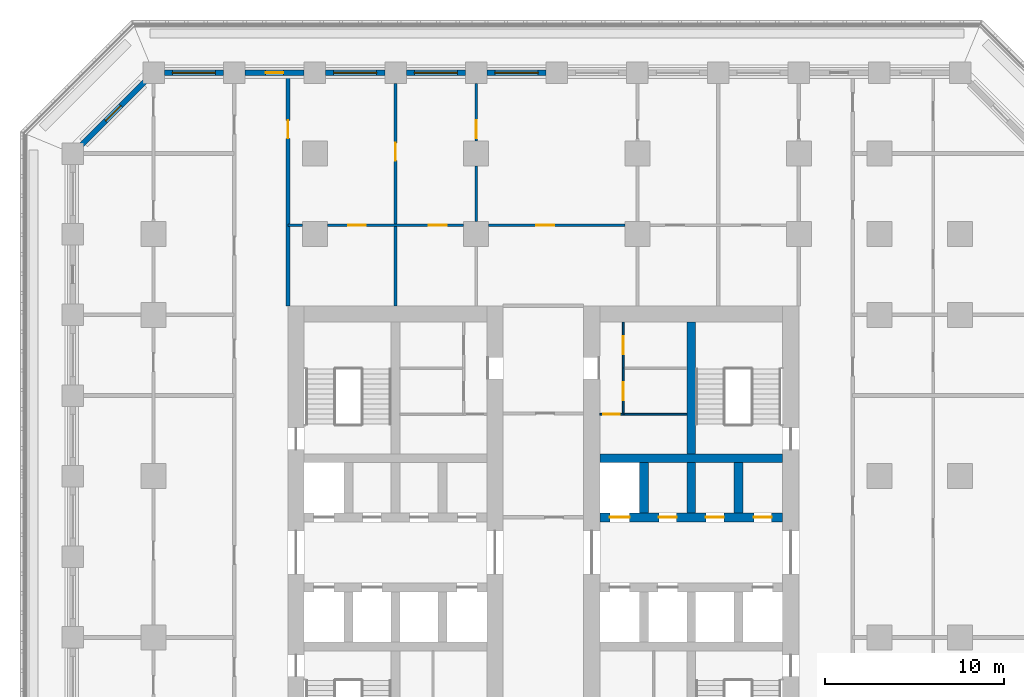
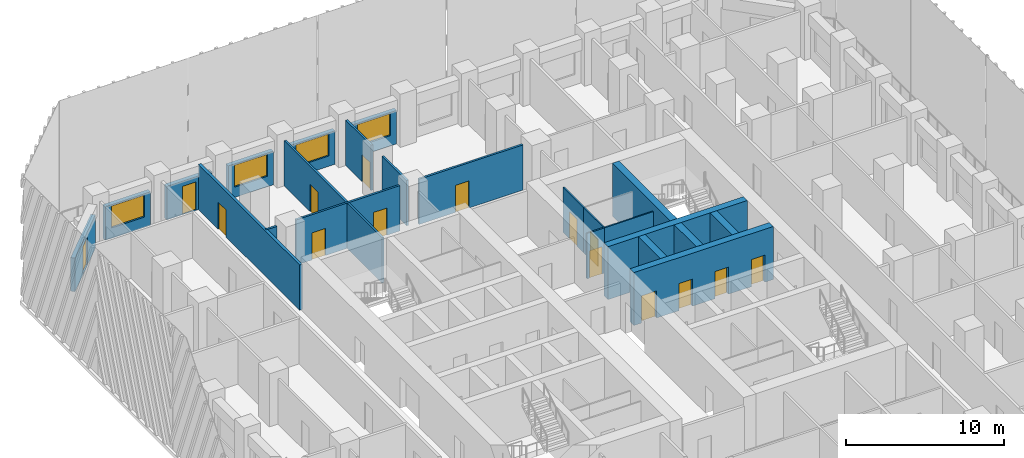
# One storey, part 8 of 20: 23 walls, 15 doors, 4 windows, 19 openings.
"""IFC4 building model written with IfcOpenShell, lengths in metres."""

import ifcopenshell
import ifcopenshell.guid

model = None  # the IFC model being written
_history = None  # IfcOwnerHistory: only IFC2X3 demands one
_inside = {}  # id of a spatial element -> (the spatial element, [elements in it])
_under = {}  # id of a project, library or spatial element -> (it, [spatial elements below it])
_declared = {}  # id of a project -> (the project, [libraries it declares])
_typed = {}  # id of a type object -> (the type object, [elements of that type])
_made_of = {}  # id of a material, layer set ... -> (it, [elements and type objects made of it])


def new_model(schema):
    """Start an empty IFC model of exactly this schema.

    Asked for "IFC4X3", IfcOpenShell would pick the latest addendum, in which some entities
    have other attributes; the version numbers below select the first issue.
    IFC2X3 requires an IfcOwnerHistory on every rooted entity: one is made here for all.
    """
    global model, _history
    if schema == "IFC4X3":
        model = ifcopenshell.file(schema_version=(4, 3, 0, 0))
    else:
        model = ifcopenshell.file(schema=schema)
    _inside.clear()
    _under.clear()
    _declared.clear()
    _typed.clear()
    _made_of.clear()
    _history = None
    if model.schema == "IFC2X3":
        org = make("IfcOrganization", Name="unknown")
        user = make(
            "IfcPersonAndOrganization",
            ThePerson=make("IfcPerson", FamilyName="unknown"),
            TheOrganization=org,
        )
        app = make(
            "IfcApplication",
            ApplicationDeveloper=org,
            Version="unknown",
            ApplicationFullName="unknown",
            ApplicationIdentifier="unknown",
        )
        _history = make(
            "IfcOwnerHistory",
            OwningUser=user,
            OwningApplication=app,
            ChangeAction="ADDED",
            CreationDate=0,
        )
    return model


def make(cls, **values):
    """One entity of the class cls with the attributes given. An attribute that is None is left unset."""
    return model.create_entity(
        cls, **{name: value for name, value in values.items() if value is not None}
    )


def rooted(cls, **values):
    """An entity with a GlobalId (a new one), such as an element, a storey or a relation."""
    return make(cls, GlobalId=ifcopenshell.guid.new(), OwnerHistory=_history, **values)


def si_unit(unit_type, name, prefix=None):
    """IfcSIUnit, for example si_unit("LENGTHUNIT", "METRE", prefix="MILLI")."""
    return make("IfcSIUnit", UnitType=unit_type, Prefix=prefix, Name=name)


def assignment(units):
    """IfcUnitAssignment: the units of a project."""
    return None if units is None else make("IfcUnitAssignment", Units=units)


def point(xyz):
    """IfcCartesianPoint."""
    return None if xyz is None else make("IfcCartesianPoint", Coordinates=xyz)


def direction(xyz):
    """IfcDirection."""
    return None if xyz is None else make("IfcDirection", DirectionRatios=xyz)


def frame(location, z_axis=None, x_axis=None):
    """IfcAxis2Placement3D, a coordinate frame: its origin and axes. An axis left out is left unset."""
    return make(
        "IfcAxis2Placement3D",
        Location=point(location),
        Axis=direction(z_axis),
        RefDirection=direction(x_axis),
    )


def frame_2d(location, x_axis=None):
    """IfcAxis2Placement2D, a coordinate frame in the plane: its origin and x axis."""
    return make(
        "IfcAxis2Placement2D", Location=point(location), RefDirection=direction(x_axis)
    )


def origin():
    """The frame at (0, 0, 0) with its axes left unset."""
    return frame((0.0, 0.0, 0.0))


def place(relative_to, where):
    """IfcLocalPlacement: puts the frame where relative to a parent placement (None: the world)."""
    return make(
        "IfcLocalPlacement", PlacementRelTo=relative_to, RelativePlacement=where
    )


def context(
    kind, dimensions, precision=None, world=None, true_north=None, identifier=None
):
    """IfcGeometricRepresentationContext, for example the 3D "Model" context."""
    return make(
        "IfcGeometricRepresentationContext",
        ContextIdentifier=identifier,
        ContextType=kind,
        CoordinateSpaceDimension=dimensions,
        Precision=precision,
        WorldCoordinateSystem=world,
        TrueNorth=true_north,
    )


def subcontext(parent, identifier, kind, view, scale=None):
    """IfcGeometricRepresentationSubContext, for example "Body" below "Model"."""
    return make(
        "IfcGeometricRepresentationSubContext",
        ContextIdentifier=identifier,
        ContextType=kind,
        ParentContext=parent,
        TargetScale=scale,
        TargetView=view,
    )


def project(units=None, contexts=None):
    """IfcProject with its units and contexts."""
    return rooted(
        "IfcProject",
        Name="project",
        RepresentationContexts=contexts,
        UnitsInContext=assignment(units),
    )


def spatial(cls, under=None, at=None, **own):
    """A site, building, storey or space (cls), placed at a placement, below another one or the project."""
    s = rooted(cls, ObjectPlacement=at, **own)
    if under is not None:
        _under.setdefault(under.id(), (under, []))[1].append(s)
    return s


def profile(cls, at=None, kind="AREA", **sizes):
    """A parametric profile (cls). Its sizes go by their IFC names, for example OverallWidth=200.0."""
    return make(cls, ProfileType=kind, Position=at, **sizes)


def rectangle(**sizes):
    """IfcRectangleProfileDef."""
    return profile("IfcRectangleProfileDef", **sizes)


def extrude(swept, where, along, depth):
    """IfcExtrudedAreaSolid: the profile swept, set in the frame where, extruded along a direction by depth."""
    return make(
        "IfcExtrudedAreaSolid",
        SweptArea=swept,
        Position=where,
        ExtrudedDirection=direction(along),
        Depth=depth,
    )


def shape(context_of_items, identifier, shape_type, items):
    """IfcShapeRepresentation: the items that make up one representation, for example the "Body"."""
    return make(
        "IfcShapeRepresentation",
        ContextOfItems=context_of_items,
        RepresentationIdentifier=identifier,
        RepresentationType=shape_type,
        Items=items,
    )


def material(Name=None, Category=None):
    """IfcMaterial."""
    return make("IfcMaterial", Name=Name, Category=Category)


def layer(
    of_material, thickness, ventilated=None, Name=None, Category=None, Priority=None
):
    """IfcMaterialLayer: one layer of a wall or slab, of a material (None: an air gap)."""
    return make(
        "IfcMaterialLayer",
        Material=of_material,
        LayerThickness=thickness,
        IsVentilated=ventilated,
        Name=Name,
        Category=Category,
        Priority=Priority,
    )


def layer_set(layers, Name=None):
    """IfcMaterialLayerSet."""
    return make("IfcMaterialLayerSet", MaterialLayers=layers, LayerSetName=Name)


def made_of(thing, what):
    """Note that an element or type object is made of a material, layer set ...; save() writes the relation."""
    if what is not None:
        _made_of.setdefault(what.id(), (what, []))[1].append(thing)
    return thing


def type_object(cls, material=None, **own):
    """A type object (cls), such as IfcWallType, which elements share."""
    return made_of(rooted(cls, **own), material)


def element(
    cls,
    number,
    at=None,
    inside=None,
    cuts=None,
    type_object=None,
    material=None,
    context=None,
    identifier="Body",
    shape_type=None,
    held_by="IfcProductDefinitionShape",
    body=None,
    shapes=None,
    **own,
):
    """One element of the class cls, such as IfcWall. Its Tag is "e" and its number.

    at: its placement. inside: the storey or other place that contains it. cuts: it is an
    opening in that element (IfcRelVoidsElement). A single representation is given by context,
    identifier, shape_type and body (its items); several are given by shapes. held_by: the class
    of the entity that holds the representations. save() writes the other relations.
    """
    e = rooted(cls, Tag="e%d" % number, ObjectPlacement=at, **own)
    if body is not None:
        shapes = [shape(context, identifier, shape_type, body)]
    if shapes is not None:
        e.Representation = make(held_by, Representations=shapes)
    if inside is not None:
        _inside.setdefault(inside.id(), (inside, []))[1].append(e)
    if cuts is not None:
        rooted(
            "IfcRelVoidsElement", RelatingBuildingElement=cuts, RelatedOpeningElement=e
        )
    if type_object is not None:
        _typed.setdefault(type_object.id(), (type_object, []))[1].append(e)
    return made_of(e, material)


def fill(opening, filler):
    """IfcRelFillsElement: the door or window that sits in an opening."""
    return rooted(
        "IfcRelFillsElement",
        RelatingOpeningElement=opening,
        RelatedBuildingElement=filler,
    )


def aggregate(whole, parts):
    """IfcRelAggregates: a whole, such as a stair, and the parts it consists of."""
    return rooted("IfcRelAggregates", RelatingObject=whole, RelatedObjects=parts)


def save(model, path):
    """Write the relations noted so far, then the file.

    IfcRelAggregates (storeys below a building ...), IfcRelContainedInSpatialStructure (elements
    in a storey), IfcRelDefinesByType, IfcRelAssociatesMaterial and IfcRelDeclares: one each for
    every whole, place, type object, material and project.
    """
    for whole, parts in _under.values():
        aggregate(whole, parts)
    for where, things in _inside.values():
        rooted(
            "IfcRelContainedInSpatialStructure",
            RelatedElements=things,
            RelatingStructure=where,
        )
    for kind, things in _typed.values():
        rooted("IfcRelDefinesByType", RelatedObjects=things, RelatingType=kind)
    for what, things in _made_of.values():
        rooted("IfcRelAssociatesMaterial", RelatedObjects=things, RelatingMaterial=what)
    for by, libraries in _declared.values():
        rooted("IfcRelDeclares", RelatingContext=by, RelatedDefinitions=libraries)
    model.write(path)


model = new_model("IFC4")

# Units and contexts
model_context = context("Model", 3, precision=1e-05, world=origin(), true_north=direction((0.0, 1.0)))
body_context = subcontext(model_context, "Body", "Model", "MODEL_VIEW")
ifc_project = project(units=[si_unit("LENGTHUNIT", "METRE"), si_unit("AREAUNIT", "SQUARE_METRE"), si_unit("VOLUMEUNIT", "CUBIC_METRE"), si_unit("PLANEANGLEUNIT", "RADIAN"), si_unit("MASSUNIT", "GRAM", prefix="KILO")], contexts=[model_context])

# Site, building, storey
site_placement = place(None, origin())
site = spatial("IfcSite", under=ifc_project, at=site_placement, CompositionType="ELEMENT")
building_placement = place(site_placement, origin())
building = spatial("IfcBuilding", under=site, at=building_placement, Name="Corbel Stack Research Tower", CompositionType="ELEMENT")
storey_placement = place(building_placement, frame((0.0, 0.0, 106.60009765625)))
storey = spatial("IfcBuildingStorey", under=building, at=storey_placement, Name="L24", CompositionType="ELEMENT", Elevation=106.60009765625)

# Wall, openings, doors
ifc_material_1 = material(Name="Concrete C70/85", Category="concrete")
ifc_layer_1 = layer(ifc_material_1, 0.5)
ifc_layer_set_1 = layer_set([ifc_layer_1], Name="Concrete C70/85")
wall_type_1 = type_object("IfcWallType", Name="CW-500-70", PredefinedType="SHEAR", material=ifc_layer_set_1)
wall_1_placement = place(storey_placement, frame((6.89990234375, 6.699951171875, 0.0), z_axis=(0.0, 0.0, 1.0), x_axis=(1.0, 0.0, 0.0)))
wall_1 = element("IfcWall", 1, at=wall_1_placement, inside=storey, type_object=wall_type_1, Name="East core wall, lobby north L24", PredefinedType="SHEAR", context=body_context, shape_type="SweptSolid", body=[
    extrude(rectangle(XDim=10.2001953125, YDim=0.5, at=frame_2d((5.10009765625, 0.0))), origin(), (0.0, 0.0, 1.0), 4.099853515625),
])
opening_1_placement = place(wall_1_placement, frame((0.5625, 0.0, 0.0)))
opening_1 = element("IfcOpeningElement", 2, at=opening_1_placement, cuts=wall_1, Name="Opening LD-LR4", PredefinedType="OPENING", context=body_context, shape_type="SweptSolid", body=[
    extrude(rectangle(XDim=1.10009765625, YDim=2.10009765625, at=frame_2d((0.550048828125, 1.050048828125))), frame((0.0, 0.260009765625, 0.0), z_axis=(0.0, -1.0, 0.0), x_axis=(1.0, 0.0, 0.0)), (0.0, 0.0, 1.0), 0.52001953125),
])
opening_2_placement = place(wall_1_placement, frame((3.28759765625, 0.0, 0.0)))
opening_2 = element("IfcOpeningElement", 3, at=opening_2_placement, cuts=wall_1, Name="Opening CR-E24-N2", PredefinedType="OPENING", context=body_context, shape_type="SweptSolid", body=[
    extrude(rectangle(XDim=1.0, YDim=2.10009765625, at=frame_2d((0.5, 1.050048828125))), frame((0.0, 0.260009765625, 0.0), z_axis=(0.0, -1.0, 0.0), x_axis=(1.0, 0.0, 0.0)), (0.0, 0.0, 1.0), 0.52001953125),
])
opening_3_placement = place(wall_1_placement, frame((5.91259765625, 0.0, 0.0)))
opening_3 = element("IfcOpeningElement", 4, at=opening_3_placement, cuts=wall_1, Name="Opening CR-E24-N3", PredefinedType="OPENING", context=body_context, shape_type="SweptSolid", body=[
    extrude(rectangle(XDim=1.0, YDim=2.10009765625, at=frame_2d((0.5, 1.050048828125))), frame((0.0, 0.260009765625, 0.0), z_axis=(0.0, -1.0, 0.0), x_axis=(1.0, 0.0, 0.0)), (0.0, 0.0, 1.0), 0.52001953125),
])
opening_4_placement = place(wall_1_placement, frame((8.58740234375, 0.0, 0.0)))
opening_4 = element("IfcOpeningElement", 5, at=opening_4_placement, cuts=wall_1, Name="Opening CR-E24-N4", PredefinedType="OPENING", context=body_context, shape_type="SweptSolid", body=[
    extrude(rectangle(XDim=1.0, YDim=2.10009765625, at=frame_2d((0.5, 1.050048828125))), frame((0.0, 0.260009765625, 0.0), z_axis=(0.0, -1.0, 0.0), x_axis=(1.0, 0.0, 0.0)), (0.0, 0.0, 1.0), 0.52001953125),
])
ifc_material_2 = material(Name="Stainless steel landing door", Category="steel")
door_type_1 = type_object("IfcDoorType", Name="Lift landing door 1100 x 2100", OperationType="DOUBLE_DOOR_SLIDING", PredefinedType="DOOR", material=ifc_material_2)
door_1_placement = place(opening_1_placement, origin())
door_1 = element("IfcDoor", 6, at=door_1_placement, inside=storey, type_object=door_type_1, Name="Landing door LR4", OperationType="DOUBLE_DOOR_SLIDING", OverallHeight=2.10009765625, OverallWidth=1.10009765625, PredefinedType="DOOR", context=body_context, shape_type="SweptSolid", body=[
    extrude(rectangle(XDim=1.10009765625, YDim=2.10009765625, at=frame_2d((0.550048828125, 1.050048828125))), frame((0.0, 0.02490234375, 0.0), z_axis=(0.0, -1.0, 0.0), x_axis=(1.0, 0.0, 0.0)), (0.0, 0.0, 1.0), 0.050048828125),
])
fill(opening_1, door_1)
ifc_material_3 = material(Name="Painted steel door", Category="steel")
door_type_2 = type_object("IfcDoorType", Name="Service door 1000 x 2100 FD60 left hand", OperationType="SINGLE_SWING_LEFT", PredefinedType="DOOR", material=ifc_material_3)
door_2_placement = place(opening_3_placement, origin())
door_2 = element("IfcDoor", 7, at=door_2_placement, inside=storey, type_object=door_type_2, Name="Telecom room door E core", OperationType="SINGLE_SWING_LEFT", OverallHeight=2.10009765625, OverallWidth=1.0, PredefinedType="DOOR", context=body_context, shape_type="SweptSolid", body=[
    extrude(rectangle(XDim=1.0, YDim=2.10009765625, at=frame_2d((0.5, 1.050048828125))), frame((0.0, 0.02490234375, 0.0), z_axis=(0.0, -1.0, 0.0), x_axis=(1.0, 0.0, 0.0)), (0.0, 0.0, 1.0), 0.050048828125),
])
fill(opening_3, door_2)
ifc_material_4 = material(Name="Painted steel door", Category="steel")
door_type_3 = type_object("IfcDoorType", Name="Service door 1000 x 2100 FD60 right hand", OperationType="SINGLE_SWING_RIGHT", PredefinedType="DOOR", material=ifc_material_4)
door_3_placement = place(opening_2_placement, origin())
door_3 = element("IfcDoor", 8, at=door_3_placement, inside=storey, type_object=door_type_3, Name="Mechanical room door E core", OperationType="SINGLE_SWING_RIGHT", OverallHeight=2.10009765625, OverallWidth=1.0, PredefinedType="DOOR", context=body_context, shape_type="SweptSolid", body=[
    extrude(rectangle(XDim=1.0, YDim=2.10009765625, at=frame_2d((0.5, 1.050048828125))), frame((0.0, 0.02490234375, 0.0), z_axis=(0.0, -1.0, 0.0), x_axis=(1.0, 0.0, 0.0)), (0.0, 0.0, 1.0), 0.050048828125),
])
fill(opening_2, door_3)
door_4_placement = place(opening_4_placement, origin())
door_4 = element("IfcDoor", 9, at=door_4_placement, inside=storey, type_object=door_type_3, Name="Copy and supply store door E core", OperationType="SINGLE_SWING_RIGHT", OverallHeight=2.10009765625, OverallWidth=1.0, PredefinedType="DOOR", context=body_context, shape_type="SweptSolid", body=[
    extrude(rectangle(XDim=1.0, YDim=2.10009765625, at=frame_2d((0.5, 1.050048828125))), frame((0.0, 0.02490234375, 0.0), z_axis=(0.0, -1.0, 0.0), x_axis=(1.0, 0.0, 0.0)), (0.0, 0.0, 1.0), 0.050048828125),
])
fill(opening_4, door_4)

# Walls
wall_2_placement = place(storey_placement, frame((6.89990234375, 10.0, 0.0), z_axis=(0.0, 0.0, 1.0), x_axis=(1.0, 0.0, 0.0)))
element("IfcWall", 10, at=wall_2_placement, inside=storey, type_object=wall_type_1, Name="East core wall, north row back L24", PredefinedType="SHEAR", context=body_context, shape_type="SweptSolid", body=[
    extrude(rectangle(XDim=10.2001953125, YDim=0.5, at=frame_2d((5.10009765625, 0.0))), origin(), (0.0, 0.0, 1.0), 4.099853515625),
])
for number, where, z_axis, x_axis, name in (
    (11, (9.375, 6.949951171875, 0.0), (0.0, 0.0, 1.0), (0.0, 1.0, 0.0), "East core wall, north shaft 1 L24"),
    (12, (12.0, 6.949951171875, 0.0), (0.0, 0.0, 1.0), (0.0, 1.0, 0.0), "East core wall, north shaft 2 L24"),
    (13, (14.625, 6.949951171875, 0.0), (0.0, 0.0, 1.0), (0.0, 1.0, 0.0), "East core wall, north shaft 3 L24"),
):
    element("IfcWall", number, at=place(storey_placement, frame(where, z_axis=z_axis, x_axis=x_axis)), inside=storey, type_object=wall_type_1, Name=name, PredefinedType="SHEAR", context=body_context, shape_type="SweptSolid", body=[
        extrude(rectangle(XDim=2.800048828125, YDim=0.5, at=frame_2d((1.39990234375, 0.0))), origin(), (0.0, 0.0, 1.0), 4.099853515625),
    ])
wall_3_placement = place(storey_placement, frame((12.0, 10.25, 0.0), z_axis=(0.0, 0.0, 1.0), x_axis=(0.0, 1.0, 0.0)))
element("IfcWall", 14, at=wall_3_placement, inside=storey, type_object=wall_type_1, Name="East core wall, north stair and riser L24", PredefinedType="SHEAR", context=body_context, shape_type="SweptSolid", body=[
    extrude(rectangle(XDim=7.35009765625, YDim=0.5, at=frame_2d((3.675048828125, 0.0))), origin(), (0.0, 0.0, 1.0), 4.099853515625),
])

# Wall, opening, door
ifc_material_5 = material(Name="Gypsum board")
ifc_layer_2 = layer(ifc_material_5, 0.10009765625)
ifc_layer_set_2 = layer_set([ifc_layer_2], Name="Gypsum board")
wall_type_2 = type_object("IfcWallType", Name="Core partition 100", PredefinedType="PARTITIONING", material=ifc_layer_set_2)
wall_4_placement = place(storey_placement, frame((6.89990234375, 12.455078125, 0.0), z_axis=(0.0, 0.0, 1.0), x_axis=(1.0, 0.0, 0.0)))
wall_4 = element("IfcWall", 15, at=wall_4_placement, inside=storey, type_object=wall_type_2, Name="Core partition E", PredefinedType="PARTITIONING", context=body_context, shape_type="SweptSolid", body=[
    extrude(rectangle(XDim=1.300048828125, YDim=0.10009765625, at=frame_2d((0.64990234375, 0.0))), origin(), (0.0, 0.0, 1.0), 3.5),
])
opening_5_placement = place(wall_4_placement, frame((0.199951171875, 0.0, 0.0)))
opening_5 = element("IfcOpeningElement", 16, at=opening_5_placement, cuts=wall_4, Name="Opening CR-E24-R1-900", PredefinedType="OPENING", context=body_context, shape_type="SweptSolid", body=[
    extrude(rectangle(XDim=0.89990234375, YDim=2.10009765625, at=frame_2d((0.449951171875, 1.050048828125))), frame((0.0, 0.06005859375, 0.0), z_axis=(0.0, -1.0, 0.0), x_axis=(1.0, 0.0, 0.0)), (0.0, 0.0, 1.0), 0.1201171875),
])
ifc_material_6 = material(Name="Painted steel door", Category="steel")
door_type_4 = type_object("IfcDoorType", Name="Riser door 900 x 2100 FD60 right hand", OperationType="SINGLE_SWING_RIGHT", PredefinedType="DOOR", material=ifc_material_6)
door_5_placement = place(opening_5_placement, origin())
door_5 = element("IfcDoor", 17, at=door_5_placement, inside=storey, type_object=door_type_4, Name="Electrical riser door E core", OperationType="SINGLE_SWING_RIGHT", OverallHeight=2.10009765625, OverallWidth=0.89990234375, PredefinedType="DOOR", context=body_context, shape_type="SweptSolid", body=[
    extrude(rectangle(XDim=0.89990234375, YDim=2.10009765625, at=frame_2d((0.449951171875, 1.050048828125))), frame((0.0, 0.02490234375, 0.0), z_axis=(0.0, -1.0, 0.0), x_axis=(1.0, 0.0, 0.0)), (0.0, 0.0, 1.0), 0.050048828125),
])
fill(opening_5, door_5)

# Wall
wall_5_placement = place(storey_placement, frame((8.199951171875, 12.455078125, 0.0), z_axis=(0.0, 0.0, 1.0), x_axis=(1.0, 0.0, 0.0)))
element("IfcWall", 18, at=wall_5_placement, inside=storey, type_object=wall_type_2, Name="Core partition E", PredefinedType="PARTITIONING", context=body_context, shape_type="SweptSolid", body=[
    extrude(rectangle(XDim=3.550048828125, YDim=0.10009765625, at=frame_2d((1.77490234375, 0.0))), origin(), (0.0, 0.0, 1.0), 3.5),
])

# Wall, opening, door
wall_6_placement = place(storey_placement, frame((8.199951171875, 12.455078125, 0.0), z_axis=(0.0, 0.0, 1.0), x_axis=(0.0, 1.0, 0.0)))
wall_6 = element("IfcWall", 19, at=wall_6_placement, inside=storey, type_object=wall_type_2, Name="Core partition E", PredefinedType="PARTITIONING", context=body_context, shape_type="SweptSolid", body=[
    extrude(rectangle(XDim=2.572509765625, YDim=0.10009765625, at=frame_2d((1.2861328125, 0.0))), origin(), (0.0, 0.0, 1.0), 3.5),
])
opening_6_placement = place(wall_6_placement, frame((0.786376953125, 0.0, 0.0)))
opening_6 = element("IfcOpeningElement", 20, at=opening_6_placement, cuts=wall_6, Name="Opening CR-E24-R3-1000", PredefinedType="OPENING", context=body_context, shape_type="SweptSolid", body=[
    extrude(rectangle(XDim=1.0, YDim=2.10009765625, at=frame_2d((0.5, 1.050048828125))), frame((0.0, 0.06005859375, 0.0), z_axis=(0.0, -1.0, 0.0), x_axis=(1.0, 0.0, 0.0)), (0.0, 0.0, 1.0), 0.1201171875),
])
ifc_material_7 = material(Name="Painted steel door", Category="steel")
door_type_5 = type_object("IfcDoorType", Name="Service door 1000 x 2100 FD30 right hand", OperationType="SINGLE_SWING_RIGHT", PredefinedType="DOOR", material=ifc_material_7)
door_6_placement = place(opening_6_placement, origin())
door_6 = element("IfcDoor", 21, at=door_6_placement, inside=storey, type_object=door_type_5, Name="Pantry door E core", OperationType="SINGLE_SWING_RIGHT", OverallHeight=2.10009765625, OverallWidth=1.0, PredefinedType="DOOR", context=body_context, shape_type="SweptSolid", body=[
    extrude(rectangle(XDim=1.0, YDim=2.10009765625, at=frame_2d((0.5, 1.050048828125))), frame((0.0, 0.02490234375, 0.0), z_axis=(0.0, -1.0, 0.0), x_axis=(1.0, 0.0, 0.0)), (0.0, 0.0, 1.0), 0.050048828125),
])
fill(opening_6, door_6)

wall_7_placement = place(storey_placement, frame((8.199951171875, 15.027587890625, 0.0), z_axis=(0.0, 0.0, 1.0), x_axis=(0.0, 1.0, 0.0)))
wall_7 = element("IfcWall", 22, at=wall_7_placement, inside=storey, type_object=wall_type_2, Name="Core partition E", PredefinedType="PARTITIONING", context=body_context, shape_type="SweptSolid", body=[
    extrude(rectangle(XDim=2.572509765625, YDim=0.10009765625, at=frame_2d((1.2861328125, 0.0))), origin(), (0.0, 0.0, 1.0), 3.5),
])
opening_7_placement = place(wall_7_placement, frame((0.7861328125, 0.0, 0.0)))
opening_7 = element("IfcOpeningElement", 23, at=opening_7_placement, cuts=wall_7, Name="Opening CR-E24-R4-1000", PredefinedType="OPENING", context=body_context, shape_type="SweptSolid", body=[
    extrude(rectangle(XDim=1.0, YDim=2.10009765625, at=frame_2d((0.5, 1.050048828125))), frame((0.0, 0.06005859375, 0.0), z_axis=(0.0, -1.0, 0.0), x_axis=(1.0, 0.0, 0.0)), (0.0, 0.0, 1.0), 0.1201171875),
])
ifc_material_8 = material(Name="Painted steel door", Category="steel")
door_type_6 = type_object("IfcDoorType", Name="Service door 1000 x 2100 FD30 left hand", OperationType="SINGLE_SWING_LEFT", PredefinedType="DOOR", material=ifc_material_8)
door_7_placement = place(opening_7_placement, origin())
door_7 = element("IfcDoor", 24, at=door_7_placement, inside=storey, type_object=door_type_6, Name="Copy and supply store door E core", OperationType="SINGLE_SWING_LEFT", OverallHeight=2.10009765625, OverallWidth=1.0, PredefinedType="DOOR", context=body_context, shape_type="SweptSolid", body=[
    extrude(rectangle(XDim=1.0, YDim=2.10009765625, at=frame_2d((0.5, 1.050048828125))), frame((0.0, 0.02490234375, 0.0), z_axis=(0.0, -1.0, 0.0), x_axis=(1.0, 0.0, 0.0)), (0.0, 0.0, 1.0), 0.050048828125),
])
fill(opening_7, door_7)

ifc_material_9 = material(Name="Fire-rated gypsum board partition on steel studs", Category="steel")
ifc_layer_3 = layer(ifc_material_9, 0.14990234375)
ifc_layer_set_3 = layer_set([ifc_layer_3], Name="Fire-rated gypsum board partition on steel studs")
wall_type_3 = type_object("IfcWallType", Name="Fire-rated partition 150 EI 60", PredefinedType="PARTITIONING", material=ifc_layer_set_3)
wall_8_placement = place(storey_placement, frame((-4.5, 30.89990234375, 0.0), z_axis=(0.0, 0.0, 1.0), x_axis=(0.0, -1.0, 0.0)))
wall_8 = element("IfcWall", 25, at=wall_8_placement, inside=storey, type_object=wall_type_3, Name="Partition L24-011", PredefinedType="PARTITIONING", context=body_context, shape_type="SweptSolid", body=[
    extrude(rectangle(XDim=12.39990234375, YDim=0.14990234375, at=frame_2d((6.199951171875, 0.0))), origin(), (0.0, 0.0, 1.0), 3.5),
])
opening_8_placement = place(wall_8_placement, frame((3.300048828125, 0.0, 0.0)))
opening_8 = element("IfcOpeningElement", 26, at=opening_8_placement, cuts=wall_8, Name="Opening B3V2-026", PredefinedType="OPENING", context=body_context, shape_type="SweptSolid", body=[
    extrude(rectangle(XDim=1.0, YDim=2.10009765625, at=frame_2d((0.5, 1.050048828125))), frame((0.0, 0.0849609375, 0.0), z_axis=(0.0, -1.0, 0.0), x_axis=(1.0, 0.0, 0.0)), (0.0, 0.0, 1.0), 0.169921875),
])
ifc_material_10 = material(Name="Painted steel fire door", Category="steel")
door_type_7 = type_object("IfcDoorType", Name="Fire door FD30S 1000 x 2100", OperationType="NOTDEFINED", PredefinedType="DOOR", material=ifc_material_10)
door_8_placement = place(opening_8_placement, origin())
door_8 = element("IfcDoor", 27, at=door_8_placement, inside=storey, type_object=door_type_7, Name="Door B3V2-026", OperationType="SINGLE_SWING_LEFT", OverallHeight=2.10009765625, OverallWidth=1.0, PredefinedType="DOOR", context=body_context, shape_type="SweptSolid", body=[
    extrude(rectangle(XDim=1.0, YDim=2.10009765625, at=frame_2d((0.5, 1.050048828125))), frame((0.0, 0.02490234375, 0.0), z_axis=(0.0, -1.0, 0.0), x_axis=(1.0, 0.0, 0.0)), (0.0, 0.0, 1.0), 0.050048828125),
])
fill(opening_8, door_8)

wall_9_placement = place(storey_placement, frame((0.0, 30.89990234375, 0.0), z_axis=(0.0, 0.0, 1.0), x_axis=(0.0, -1.0, 0.0)))
wall_9 = element("IfcWall", 28, at=wall_9_placement, inside=storey, type_object=wall_type_3, Name="Partition L24-014", PredefinedType="PARTITIONING", context=body_context, shape_type="SweptSolid", body=[
    extrude(rectangle(XDim=3.199951171875, YDim=0.14990234375, at=frame_2d((1.60009765625, 0.0))), origin(), (0.0, 0.0, 1.0), 3.5),
])
opening_9_placement = place(wall_9_placement, frame((2.050048828125, 0.0, 0.0)))
opening_9 = element("IfcOpeningElement", 29, at=opening_9_placement, cuts=wall_9, Name="Opening B3V2-027", PredefinedType="OPENING", context=body_context, shape_type="SweptSolid", body=[
    extrude(rectangle(XDim=1.0, YDim=2.10009765625, at=frame_2d((0.5, 1.050048828125))), frame((0.0, 0.0849609375, 0.0), z_axis=(0.0, -1.0, 0.0), x_axis=(1.0, 0.0, 0.0)), (0.0, 0.0, 1.0), 0.169921875),
])
door_9_placement = place(opening_9_placement, origin())
door_9 = element("IfcDoor", 30, at=door_9_placement, inside=storey, type_object=door_type_7, Name="Door B3V2-027", OperationType="SINGLE_SWING_RIGHT", OverallHeight=2.10009765625, OverallWidth=1.0, PredefinedType="DOOR", context=body_context, shape_type="SweptSolid", body=[
    extrude(rectangle(XDim=1.0, YDim=2.10009765625, at=frame_2d((0.5, 1.050048828125))), frame((0.0, 0.02490234375, 0.0), z_axis=(0.0, -1.0, 0.0), x_axis=(1.0, 0.0, 0.0)), (0.0, 0.0, 1.0), 0.050048828125),
])
fill(opening_9, door_9)

ifc_material_11 = material(Name="Fire-rated gypsum board partition on steel studs", Category="steel")
ifc_layer_4 = layer(ifc_material_11, 0.199951171875)
ifc_layer_set_4 = layer_set([ifc_layer_4], Name="Fire-rated gypsum board partition on steel studs")
wall_type_4 = type_object("IfcWallType", Name="Fire-rated partition 200 EI 60", PredefinedType="PARTITIONING", material=ifc_layer_set_4)
wall_10_placement = place(storey_placement, frame((-10.5, 31.35009765625, 0.0), z_axis=(0.0, 0.0, 1.0), x_axis=(0.0, -1.0, 0.0)))
wall_10 = element("IfcWall", 31, at=wall_10_placement, inside=storey, type_object=wall_type_4, Name="Partition L24-009", PredefinedType="PARTITIONING", context=body_context, shape_type="SweptSolid", body=[
    extrude(rectangle(XDim=12.85009765625, YDim=0.199951171875, at=frame_2d((6.425048828125, 0.0))), origin(), (0.0, 0.0, 1.0), 3.5),
])
opening_10_placement = place(wall_10_placement, frame((2.5, 0.0, 0.0)))
opening_10 = element("IfcOpeningElement", 32, at=opening_10_placement, cuts=wall_10, Name="Opening B3V2-023", PredefinedType="OPENING", context=body_context, shape_type="SweptSolid", body=[
    extrude(rectangle(XDim=1.0, YDim=2.10009765625, at=frame_2d((0.5, 1.050048828125))), frame((0.0, 0.10986328125, 0.0), z_axis=(0.0, -1.0, 0.0), x_axis=(1.0, 0.0, 0.0)), (0.0, 0.0, 1.0), 0.219970703125),
])
door_10_placement = place(opening_10_placement, origin())
door_10 = element("IfcDoor", 33, at=door_10_placement, inside=storey, type_object=door_type_7, Name="Door B3V2-023", OperationType="SINGLE_SWING_LEFT", OverallHeight=2.10009765625, OverallWidth=1.0, PredefinedType="DOOR", context=body_context, shape_type="SweptSolid", body=[
    extrude(rectangle(XDim=1.0, YDim=2.10009765625, at=frame_2d((0.5, 1.050048828125))), frame((0.0, 0.02490234375, 0.0), z_axis=(0.0, -1.0, 0.0), x_axis=(1.0, 0.0, 0.0)), (0.0, 0.0, 1.0), 0.050048828125),
])
fill(opening_10, door_10)

# Walls
ifc_material_12 = material(Name="Gypsum board partition on steel studs", Category="steel")
ifc_layer_5 = layer(ifc_material_12, 0.14990234375)
ifc_layer_set_5 = layer_set([ifc_layer_5], Name="Gypsum board partition on steel studs")
wall_type_5 = type_object("IfcWallType", Name="Partition 150", PredefinedType="PARTITIONING", material=ifc_layer_set_5)
wall_11_placement = place(storey_placement, frame((0.0, 23.199951171875, 0.0), z_axis=(0.0, 0.0, 1.0), x_axis=(0.0, 1.0, 0.0)))
element("IfcWall", 34, at=wall_11_placement, inside=storey, type_object=wall_type_5, Name="Partition L24-013", PredefinedType="PARTITIONING", context=body_context, shape_type="SweptSolid", body=[
    extrude(rectangle(XDim=3.10009765625, YDim=0.14990234375, at=frame_2d((1.550048828125, 0.0))), origin(), (0.0, 0.0, 1.0), 3.5),
])
wall_12_placement = place(storey_placement, frame((-10.5, 23.0, 0.0), z_axis=(0.0, 0.0, 1.0), x_axis=(1.0, 0.0, 0.0)))
element("IfcWall", 35, at=wall_12_placement, inside=storey, type_object=wall_type_5, Name="Partition L24-055", PredefinedType="PARTITIONING", context=body_context, shape_type="SweptSolid", body=[
    extrude(rectangle(XDim=0.800048828125, YDim=0.14990234375, at=frame_2d((0.39990234375, 0.0))), origin(), (0.0, 0.0, 1.0), 3.5),
])

# Wall, openings, doors
wall_13_placement = place(storey_placement, frame((-0.699951171875, 23.0, 0.0), z_axis=(0.0, 0.0, 1.0), x_axis=(-1.0, 0.0, 0.0)))
wall_13 = element("IfcWall", 36, at=wall_13_placement, inside=storey, type_object=wall_type_5, Name="Partition L24-056", PredefinedType="PARTITIONING", context=body_context, shape_type="SweptSolid", body=[
    extrude(rectangle(XDim=7.60009765625, YDim=0.14990234375, at=frame_2d((3.800048828125, 0.0))), origin(), (0.0, 0.0, 1.0), 3.5),
])
opening_11_placement = place(wall_13_placement, frame((5.449951171875, 0.0, 0.0)))
opening_11 = element("IfcOpeningElement", 37, at=opening_11_placement, cuts=wall_13, Name="Opening B3V2-042", PredefinedType="OPENING", context=body_context, shape_type="SweptSolid", body=[
    extrude(rectangle(XDim=1.0, YDim=2.10009765625, at=frame_2d((0.5, 1.050048828125))), frame((0.0, 0.0849609375, 0.0), z_axis=(0.0, -1.0, 0.0), x_axis=(1.0, 0.0, 0.0)), (0.0, 0.0, 1.0), 0.169921875),
])
opening_12_placement = place(wall_13_placement, frame((0.949951171875, 0.0, 0.0)))
opening_12 = element("IfcOpeningElement", 38, at=opening_12_placement, cuts=wall_13, Name="Opening B3V2-043", PredefinedType="OPENING", context=body_context, shape_type="SweptSolid", body=[
    extrude(rectangle(XDim=1.0, YDim=2.10009765625, at=frame_2d((0.5, 1.050048828125))), frame((0.0, 0.0849609375, 0.0), z_axis=(0.0, -1.0, 0.0), x_axis=(1.0, 0.0, 0.0)), (0.0, 0.0, 1.0), 0.169921875),
])
ifc_material_13 = material(Name="Painted timber door", Category="wood")
door_type_8 = type_object("IfcDoorType", Name="Single door 1000 x 2100", OperationType="NOTDEFINED", PredefinedType="DOOR", material=ifc_material_13)
door_11_placement = place(opening_11_placement, origin())
door_11 = element("IfcDoor", 39, at=door_11_placement, inside=storey, type_object=door_type_8, Name="Door B3V2-042", OperationType="SINGLE_SWING_RIGHT", OverallHeight=2.10009765625, OverallWidth=1.0, PredefinedType="DOOR", context=body_context, shape_type="SweptSolid", body=[
    extrude(rectangle(XDim=1.0, YDim=2.10009765625, at=frame_2d((0.5, 1.050048828125))), frame((0.0, 0.02490234375, 0.0), z_axis=(0.0, -1.0, 0.0), x_axis=(1.0, 0.0, 0.0)), (0.0, 0.0, 1.0), 0.050048828125),
])
fill(opening_11, door_11)
door_12_placement = place(opening_12_placement, origin())
door_12 = element("IfcDoor", 40, at=door_12_placement, inside=storey, type_object=door_type_8, Name="Door B3V2-043", OperationType="SINGLE_SWING_LEFT", OverallHeight=2.10009765625, OverallWidth=1.0, PredefinedType="DOOR", context=body_context, shape_type="SweptSolid", body=[
    extrude(rectangle(XDim=1.0, YDim=2.10009765625, at=frame_2d((0.5, 1.050048828125))), frame((0.0, 0.02490234375, 0.0), z_axis=(0.0, -1.0, 0.0), x_axis=(1.0, 0.0, 0.0)), (0.0, 0.0, 1.0), 0.050048828125),
])
fill(opening_12, door_12)

# Wall, opening, door
wall_14_placement = place(storey_placement, frame((8.300048828125, 23.0, 0.0), z_axis=(0.0, 0.0, 1.0), x_axis=(-1.0, 0.0, 0.0)))
wall_14 = element("IfcWall", 41, at=wall_14_placement, inside=storey, type_object=wall_type_5, Name="Partition L24-057", PredefinedType="PARTITIONING", context=body_context, shape_type="SweptSolid", body=[
    extrude(rectangle(XDim=7.60009765625, YDim=0.14990234375, at=frame_2d((3.800048828125, 0.0))), origin(), (0.0, 0.0, 1.0), 3.5),
])
opening_13_placement = place(wall_14_placement, frame((3.949951171875, 0.0, 0.0)))
opening_13 = element("IfcOpeningElement", 42, at=opening_13_placement, cuts=wall_14, Name="Opening B3V2-044", PredefinedType="OPENING", context=body_context, shape_type="SweptSolid", body=[
    extrude(rectangle(XDim=1.0, YDim=2.10009765625, at=frame_2d((0.5, 1.050048828125))), frame((0.0, 0.0849609375, 0.0), z_axis=(0.0, -1.0, 0.0), x_axis=(1.0, 0.0, 0.0)), (0.0, 0.0, 1.0), 0.169921875),
])
door_13_placement = place(opening_13_placement, origin())
door_13 = element("IfcDoor", 43, at=door_13_placement, inside=storey, type_object=door_type_8, Name="Door B3V2-044", OperationType="SINGLE_SWING_RIGHT", OverallHeight=2.10009765625, OverallWidth=1.0, PredefinedType="DOOR", context=body_context, shape_type="SweptSolid", body=[
    extrude(rectangle(XDim=1.0, YDim=2.10009765625, at=frame_2d((0.5, 1.050048828125))), frame((0.0, 0.02490234375, 0.0), z_axis=(0.0, -1.0, 0.0), x_axis=(1.0, 0.0, 0.0)), (0.0, 0.0, 1.0), 0.050048828125),
])
fill(opening_13, door_13)

# Wall, opening, window
ifc_material_14 = material(Name="Concrete C45/55", Category="concrete")
ifc_layer_6 = layer(ifc_material_14, 0.300048828125)
ifc_layer_set_6 = layer_set([ifc_layer_6], Name="Concrete C45/55")
wall_type_6 = type_object("IfcWallType", Name="Terracotta-faced concrete wall 300", PredefinedType="SOLIDWALL", material=ifc_layer_set_6)
wall_15_placement = place(storey_placement, frame((0.60009765625, 31.5, 0.0), z_axis=(0.0, 0.0, 1.0), x_axis=(1.0, 0.0, 0.0)))
wall_15 = element("IfcWall", 44, at=wall_15_placement, inside=storey, type_object=wall_type_6, Name="Facade wall L24 N06", PredefinedType="SOLIDWALL", context=body_context, shape_type="SweptSolid", body=[
    extrude(rectangle(XDim=3.2998046875, YDim=0.300048828125, at=frame_2d((1.64990234375, 0.0))), origin(), (0.0, 0.0, 1.0), 2.599853515625),
])
opening_14_placement = place(wall_15_placement, frame((0.449951171875, 0.0, 0.800048828125)))
opening_14 = element("IfcOpeningElement", 45, at=opening_14_placement, cuts=wall_15, Name="Opening W1", PredefinedType="OPENING", context=body_context, shape_type="SweptSolid", body=[
    extrude(rectangle(XDim=2.39990234375, YDim=1.699951171875, at=frame_2d((1.199951171875, 0.85009765625))), frame((0.0, 0.159912109375, 0.0), z_axis=(0.0, -1.0, 0.0), x_axis=(1.0, 0.0, 0.0)), (0.0, 0.0, 1.0), 0.320068359375),
])
ifc_material_15 = material(Name="Aluminium frame, clear double glazing", Category="aluminium")
window_type = type_object("IfcWindowType", Name="Window W1 2400 x 1700", PartitioningType="SINGLE_PANEL", PredefinedType="WINDOW", material=ifc_material_15)
window_1_placement = place(opening_14_placement, origin())
window_1 = element("IfcWindow", 46, at=window_1_placement, inside=storey, type_object=window_type, Name="Window W1 L24 N06", OverallHeight=1.699951171875, OverallWidth=2.39990234375, PartitioningType="SINGLE_PANEL", PredefinedType="WINDOW", context=body_context, shape_type="SweptSolid", body=[
    extrude(rectangle(XDim=2.39990234375, YDim=1.699951171875, at=frame_2d((1.199951171875, 0.85009765625))), frame((0.0, 0.030029296875, 0.0), z_axis=(0.0, -1.0, 0.0), x_axis=(1.0, 0.0, 0.0)), (0.0, 0.0, 1.0), 0.06005859375),
])
fill(opening_14, window_1)

wall_16_placement = place(storey_placement, frame((-3.89990234375, 31.5, 0.0), z_axis=(0.0, 0.0, 1.0), x_axis=(1.0, 0.0, 0.0)))
wall_16 = element("IfcWall", 47, at=wall_16_placement, inside=storey, type_object=wall_type_6, Name="Facade wall L24 N07", PredefinedType="SOLIDWALL", context=body_context, shape_type="SweptSolid", body=[
    extrude(rectangle(XDim=3.2998046875, YDim=0.300048828125, at=frame_2d((1.64990234375, 0.0))), origin(), (0.0, 0.0, 1.0), 2.599853515625),
])
opening_15_placement = place(wall_16_placement, frame((0.449951171875, 0.0, 0.800048828125)))
opening_15 = element("IfcOpeningElement", 48, at=opening_15_placement, cuts=wall_16, Name="Opening W1", PredefinedType="OPENING", context=body_context, shape_type="SweptSolid", body=[
    extrude(rectangle(XDim=2.39990234375, YDim=1.699951171875, at=frame_2d((1.199951171875, 0.85009765625))), frame((0.0, 0.159912109375, 0.0), z_axis=(0.0, -1.0, 0.0), x_axis=(1.0, 0.0, 0.0)), (0.0, 0.0, 1.0), 0.320068359375),
])
window_2_placement = place(opening_15_placement, origin())
window_2 = element("IfcWindow", 49, at=window_2_placement, inside=storey, type_object=window_type, Name="Window W1 L24 N07", OverallHeight=1.699951171875, OverallWidth=2.39990234375, PartitioningType="SINGLE_PANEL", PredefinedType="WINDOW", context=body_context, shape_type="SweptSolid", body=[
    extrude(rectangle(XDim=2.39990234375, YDim=1.699951171875, at=frame_2d((1.199951171875, 0.85009765625))), frame((0.0, 0.030029296875, 0.0), z_axis=(0.0, -1.0, 0.0), x_axis=(1.0, 0.0, 0.0)), (0.0, 0.0, 1.0), 0.06005859375),
])
fill(opening_15, window_2)

wall_17_placement = place(storey_placement, frame((-8.39990234375, 31.5, 0.0), z_axis=(0.0, 0.0, 1.0), x_axis=(1.0, 0.0, 0.0)))
wall_17 = element("IfcWall", 50, at=wall_17_placement, inside=storey, type_object=wall_type_6, Name="Facade wall L24 N08", PredefinedType="SOLIDWALL", context=body_context, shape_type="SweptSolid", body=[
    extrude(rectangle(XDim=3.2998046875, YDim=0.300048828125, at=frame_2d((1.64990234375, 0.0))), origin(), (0.0, 0.0, 1.0), 2.599853515625),
])
opening_16_placement = place(wall_17_placement, frame((0.449951171875, 0.0, 0.800048828125)))
opening_16 = element("IfcOpeningElement", 51, at=opening_16_placement, cuts=wall_17, Name="Opening W1", PredefinedType="OPENING", context=body_context, shape_type="SweptSolid", body=[
    extrude(rectangle(XDim=2.39990234375, YDim=1.699951171875, at=frame_2d((1.199951171875, 0.85009765625))), frame((0.0, 0.159912109375, 0.0), z_axis=(0.0, -1.0, 0.0), x_axis=(1.0, 0.0, 0.0)), (0.0, 0.0, 1.0), 0.320068359375),
])
window_3_placement = place(opening_16_placement, origin())
window_3 = element("IfcWindow", 52, at=window_3_placement, inside=storey, type_object=window_type, Name="Window W1 L24 N08", OverallHeight=1.699951171875, OverallWidth=2.39990234375, PartitioningType="SINGLE_PANEL", PredefinedType="WINDOW", context=body_context, shape_type="SweptSolid", body=[
    extrude(rectangle(XDim=2.39990234375, YDim=1.699951171875, at=frame_2d((1.199951171875, 0.85009765625))), frame((0.0, 0.030029296875, 0.0), z_axis=(0.0, -1.0, 0.0), x_axis=(1.0, 0.0, 0.0)), (0.0, 0.0, 1.0), 0.06005859375),
])
fill(opening_16, window_3)

# Wall, opening, door
wall_18_placement = place(storey_placement, frame((-12.89990234375, 31.5, 0.0), z_axis=(0.0, 0.0, 1.0), x_axis=(1.0, 0.0, 0.0)))
wall_18 = element("IfcWall", 53, at=wall_18_placement, inside=storey, type_object=wall_type_6, Name="Facade wall L24 N09", PredefinedType="SOLIDWALL", context=body_context, shape_type="SweptSolid", body=[
    extrude(rectangle(XDim=3.2998046875, YDim=0.300048828125, at=frame_2d((1.64990234375, 0.0))), origin(), (0.0, 0.0, 1.0), 2.599853515625),
])
opening_17_placement = place(wall_18_placement, frame((1.14990234375, 0.0, 0.0)))
opening_17 = element("IfcOpeningElement", 54, at=opening_17_placement, cuts=wall_18, Name="Opening L24-B08", PredefinedType="OPENING", context=body_context, shape_type="SweptSolid", body=[
    extrude(rectangle(XDim=1.0, YDim=2.199951171875, at=frame_2d((0.5, 1.10009765625))), frame((0.0, 0.159912109375, 0.0), z_axis=(0.0, -1.0, 0.0), x_axis=(1.0, 0.0, 0.0)), (0.0, 0.0, 1.0), 0.320068359375),
])
ifc_material_16 = material(Name="Aluminium frame, clear double glazing", Category="aluminium")
door_type_9 = type_object("IfcDoorType", Name="Balcony door BD1 1000 x 2200", OperationType="NOTDEFINED", PredefinedType="DOOR", material=ifc_material_16)
door_14_placement = place(opening_17_placement, origin())
door_14 = element("IfcDoor", 55, at=door_14_placement, inside=storey, type_object=door_type_9, Name="Balcony door L24-B08", OperationType="SINGLE_SWING_LEFT", OverallHeight=2.199951171875, OverallWidth=1.0, PredefinedType="DOOR", context=body_context, shape_type="SweptSolid", body=[
    extrude(rectangle(XDim=1.0, YDim=2.199951171875, at=frame_2d((0.5, 1.10009765625))), frame((0.0, 0.02490234375, 0.0), z_axis=(0.0, -1.0, 0.0), x_axis=(1.0, 0.0, 0.0)), (0.0, 0.0, 1.0), 0.050048828125),
])
fill(opening_17, door_14)

# Wall, opening, window
wall_19_placement = place(storey_placement, frame((-17.39990234375, 31.5, 0.0), z_axis=(0.0, 0.0, 1.0), x_axis=(1.0, 0.0, 0.0)))
wall_19 = element("IfcWall", 56, at=wall_19_placement, inside=storey, type_object=wall_type_6, Name="Facade wall L24 N10", PredefinedType="SOLIDWALL", context=body_context, shape_type="SweptSolid", body=[
    extrude(rectangle(XDim=3.2998046875, YDim=0.300048828125, at=frame_2d((1.64990234375, 0.0))), origin(), (0.0, 0.0, 1.0), 2.599853515625),
])
opening_18_placement = place(wall_19_placement, frame((0.449951171875, 0.0, 0.800048828125)))
opening_18 = element("IfcOpeningElement", 57, at=opening_18_placement, cuts=wall_19, Name="Opening W1", PredefinedType="OPENING", context=body_context, shape_type="SweptSolid", body=[
    extrude(rectangle(XDim=2.39990234375, YDim=1.699951171875, at=frame_2d((1.199951171875, 0.85009765625))), frame((0.0, 0.159912109375, 0.0), z_axis=(0.0, -1.0, 0.0), x_axis=(1.0, 0.0, 0.0)), (0.0, 0.0, 1.0), 0.320068359375),
])
window_4_placement = place(opening_18_placement, origin())
window_4 = element("IfcWindow", 58, at=window_4_placement, inside=storey, type_object=window_type, Name="Window W1 L24 N10", OverallHeight=1.699951171875, OverallWidth=2.39990234375, PartitioningType="SINGLE_PANEL", PredefinedType="WINDOW", context=body_context, shape_type="SweptSolid", body=[
    extrude(rectangle(XDim=2.39990234375, YDim=1.699951171875, at=frame_2d((1.199951171875, 0.85009765625))), frame((0.0, 0.030029296875, 0.0), z_axis=(0.0, -1.0, 0.0), x_axis=(1.0, 0.0, 0.0)), (0.0, 0.0, 1.0), 0.06005859375),
])
fill(opening_18, window_4)

# Wall, opening, door
wall_20_placement = place(storey_placement, frame((-22.006103515625, 27.493896484375, 0.0), z_axis=(0.0, 0.0, 1.0), x_axis=(0.707106781187, 0.707106781187, 0.0)))
wall_20 = element("IfcWall", 59, at=wall_20_placement, inside=storey, type_object=wall_type_6, Name="Facade wall L24 NW01", PredefinedType="SOLIDWALL", context=body_context, shape_type="SweptSolid", body=[
    extrude(rectangle(XDim=4.967041015625, YDim=0.300048828125, at=frame_2d((2.4833984375, 0.0))), origin(), (0.0, 0.0, 1.0), 2.599853515625),
])
opening_19_placement = place(wall_20_placement, frame((1.883544921875, 0.0, 0.0)))
opening_19 = element("IfcOpeningElement", 60, at=opening_19_placement, cuts=wall_20, Name="Opening L24-B09", PredefinedType="OPENING", context=body_context, shape_type="SweptSolid", body=[
    extrude(rectangle(XDim=1.199951171875, YDim=2.199951171875, at=frame_2d((0.60009765625, 1.10009765625))), frame((0.0, 0.159912109375, 0.0), z_axis=(0.0, -1.0, 0.0), x_axis=(1.0, 0.0, 0.0)), (0.0, 0.0, 1.0), 0.320068359375),
])
ifc_material_17 = material(Name="Aluminium frame, clear double glazing", Category="aluminium")
door_type_10 = type_object("IfcDoorType", Name="Balcony door BD2 1200 x 2200", OperationType="NOTDEFINED", PredefinedType="DOOR", material=ifc_material_17)
door_15_placement = place(opening_19_placement, origin())
door_15 = element("IfcDoor", 61, at=door_15_placement, inside=storey, type_object=door_type_10, Name="Balcony door L24-B09", OperationType="SINGLE_SWING_LEFT", OverallHeight=2.199951171875, OverallWidth=1.199951171875, PredefinedType="DOOR", context=body_context, shape_type="SweptSolid", body=[
    extrude(rectangle(XDim=1.199951171875, YDim=2.199951171875, at=frame_2d((0.60009765625, 1.10009765625))), frame((0.0, 0.02490234375, 0.0), z_axis=(0.0, -1.0, 0.0), x_axis=(1.0, 0.0, 0.0)), (0.0, 0.0, 1.0), 0.050048828125),
])
fill(opening_19, door_15)

save(model, "model.ifc")
